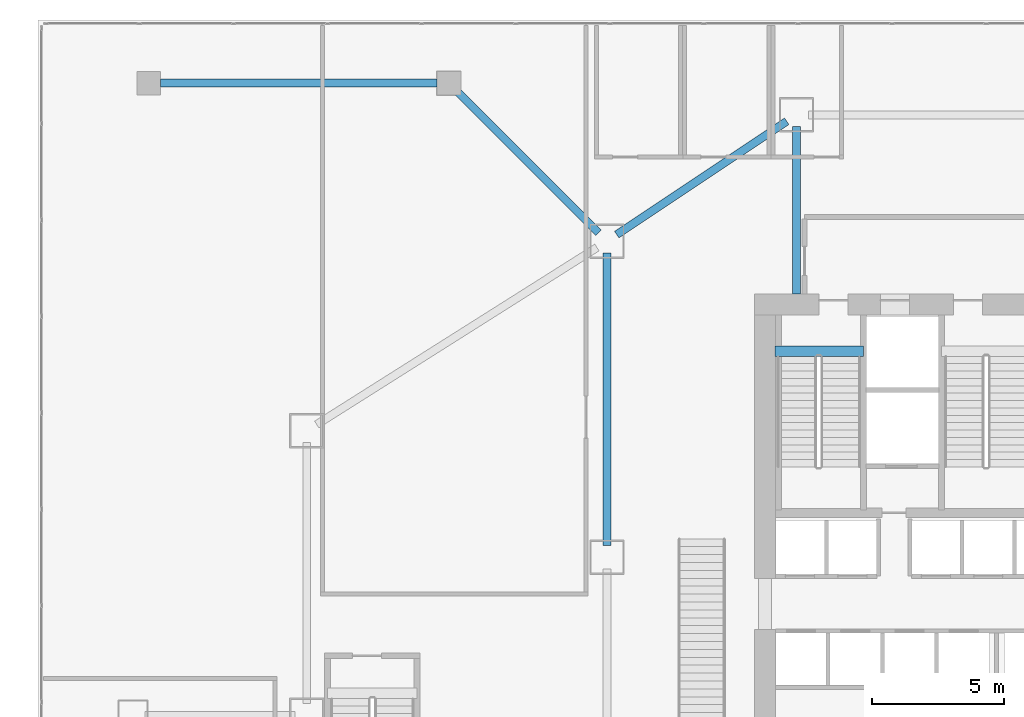
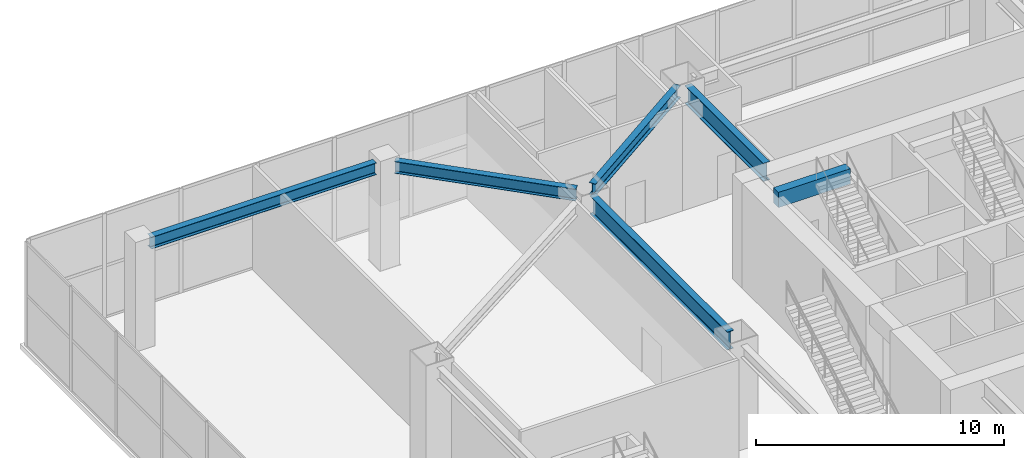
# One storey, part 15 of 37: 6 beams.
"""IFC4 building model written with IfcOpenShell, lengths in metres."""

from ifc_helpers import new_model, si_unit, direction, frame, origin, origin_2d, place, context, subcontext, project, spatial, rectangle, i_section, extrude, material, material_profile, profile_set, type_object, element, save


model = new_model("IFC4")

# Units and contexts
model_context = context("Model", 3, precision=1e-05, world=origin(), true_north=direction((0.0, 1.0)))
body_context = subcontext(model_context, "Body", "Model", "MODEL_VIEW")
ifc_project = project(units=[si_unit("LENGTHUNIT", "METRE"), si_unit("AREAUNIT", "SQUARE_METRE"), si_unit("VOLUMEUNIT", "CUBIC_METRE"), si_unit("PLANEANGLEUNIT", "RADIAN"), si_unit("MASSUNIT", "GRAM", prefix="KILO")], contexts=[model_context])

# Site, building, storey
site_placement = place(None, origin())
site = spatial("IfcSite", under=ifc_project, at=site_placement, CompositionType="ELEMENT")
building_placement = place(site_placement, origin())
building = spatial("IfcBuilding", under=site, at=building_placement, Name="Haolan Belvedere Tower", CompositionType="ELEMENT")
storey_placement = place(building_placement, frame((0.0, 0.0, 10.199951171875)))
storey = spatial("IfcBuildingStorey", under=building, at=storey_placement, Name="L02", CompositionType="ELEMENT", Elevation=10.199951171875)

# Beams
ifc_material_1 = material(Name="Steel Q355B", Category="steel")
ifc_material_profile_1 = material_profile(ifc_material_1, i_section(OverallWidth=0.300048828125, OverallDepth=0.587890625, WebThickness=0.011962890625, FlangeThickness=0.02001953125, FilletRadius=0.028076171875, at=origin_2d()), Name="Steel Q355B")
ifc_profile_set_1 = profile_set([ifc_material_profile_1], Name="Steel Q355B")
beam_type_1 = type_object("IfcBeamType", Name="BM-HM588x300x12x20", PredefinedType="SPANDREL", material=ifc_profile_set_1)
beam_1_placement = place(storey_placement, frame((24.37451171875, 45.849609375, 4.865966796875), z_axis=(0.832050294338, 0.554700196225, 0.0), x_axis=(-0.554700196225, 0.832050294338, 0.0)))
element("IfcBeam", 1, at=beam_1_placement, inside=storey, type_object=beam_type_1, Name="L02 spandrel girder MC-T3-NW-MC-T3-N1", PredefinedType="SPANDREL", context=body_context, shape_type="SweptSolid", body=[
    extrude(i_section(OverallWidth=0.300048828125, OverallDepth=0.587890625, WebThickness=0.011962890625, FlangeThickness=0.02001953125, FilletRadius=0.028076171875, at=origin_2d()), origin(), (0.0, 0.0, 1.0), 7.75341796875),
])
beam_2_placement = place(storey_placement, frame((7.050048828125, 51.60009765625, 4.865966796875), z_axis=(1.0, 0.0, 0.0), x_axis=(0.0, 1.0, 0.0)))
element("IfcBeam", 2, at=beam_2_placement, inside=storey, type_object=beam_type_1, Name="L02 spandrel girder PC-NW-1-PC-NW-2", PredefinedType="SPANDREL", context=body_context, shape_type="SweptSolid", body=[
    extrude(i_section(OverallWidth=0.300048828125, OverallDepth=0.587890625, WebThickness=0.011962890625, FlangeThickness=0.02001953125, FilletRadius=0.028076171875, at=origin_2d()), origin(), (0.0, 0.0, 1.0), 10.5),
])
beam_3_placement = place(storey_placement, frame((18.318115234375, 51.28173828125, 4.865966796875), z_axis=(0.707122873923, -0.707090688084, 0.0), x_axis=(0.707090688084, 0.707122873923, 0.0)))
element("IfcBeam", 3, at=beam_3_placement, inside=storey, type_object=beam_type_1, Name="L02 spandrel girder PC-NW-2-MC-T3-NW", PredefinedType="SPANDREL", context=body_context, shape_type="SweptSolid", body=[
    extrude(i_section(OverallWidth=0.300048828125, OverallDepth=0.587890625, WebThickness=0.011962890625, FlangeThickness=0.02001953125, FilletRadius=0.028076171875, at=origin_2d()), origin(), (0.0, 0.0, 1.0), 7.58544921875),
])
ifc_material_profile_2 = material_profile(ifc_material_1, i_section(OverallWidth=0.300048828125, OverallDepth=0.89990234375, WebThickness=0.01611328125, FlangeThickness=0.028076171875, FilletRadius=0.028076171875, at=origin_2d()), Name="Steel Q355B")
ifc_profile_set_2 = profile_set([ifc_material_profile_2], Name="Steel Q355B")
beam_type_2 = type_object("IfcBeamType", Name="BM-HN900x300x16x28", PredefinedType="BEAM", material=ifc_profile_set_2)
beam_4_placement = place(storey_placement, frame((24.0, 34.050048828125, 4.7099609375), z_axis=(0.0, 1.0, 0.0), x_axis=(-1.0, 0.0, 0.0)))
element("IfcBeam", 4, at=beam_4_placement, inside=storey, type_object=beam_type_2, Name="L02 primary girder MC-T3-MW-MC-T3-NW", PredefinedType="BEAM", context=body_context, shape_type="SweptSolid", body=[
    extrude(i_section(OverallWidth=0.300048828125, OverallDepth=0.89990234375, WebThickness=0.01611328125, FlangeThickness=0.028076171875, FilletRadius=0.028076171875, at=origin_2d()), origin(), (0.0, 0.0, 1.0), 11.099853515625),
])
beam_5_placement = place(storey_placement, frame((31.199951171875, 49.949951171875, 4.7099609375), z_axis=(0.0, -1.0, 0.0), x_axis=(1.0, 0.0, 0.0)))
element("IfcBeam", 5, at=beam_5_placement, inside=storey, type_object=beam_type_2, Name="L02 core tie beam from MC-T3-N1", PredefinedType="BEAM", context=body_context, shape_type="SweptSolid", body=[
    extrude(i_section(OverallWidth=0.300048828125, OverallDepth=0.89990234375, WebThickness=0.01611328125, FlangeThickness=0.028076171875, FilletRadius=0.028076171875, at=origin_2d()), origin(), (0.0, 0.0, 1.0), 6.349853515625),
])
ifc_material_2 = material(Name="Concrete C50/60", Category="concrete")
ifc_material_profile_3 = material_profile(ifc_material_2, rectangle(XDim=0.39990234375, YDim=0.75, at=origin_2d()), Name="Concrete C50/60")
ifc_profile_set_3 = profile_set([ifc_material_profile_3], Name="Concrete C50/60")
beam_type_3 = type_object("IfcBeamType", Name="BM-RC400x750", PredefinedType="T_BEAM", material=ifc_profile_set_3)
beam_6_placement = place(storey_placement, frame((30.3798828125, 41.429931640625, 5.025146484375), z_axis=(1.0, 0.0, 0.0), x_axis=(0.0, 1.0, 0.0)))
element("IfcBeam", 6, at=beam_6_placement, inside=storey, type_object=beam_type_3, Name="L03 stair ST1 RC header trimmer beam", PredefinedType="BEAM", context=body_context, shape_type="SweptSolid", body=[
    extrude(rectangle(XDim=0.39990234375, YDim=0.75, at=origin_2d()), origin(), (0.0, 0.0, 1.0), 3.360107421875),
])

save(model, "model.ifc")
